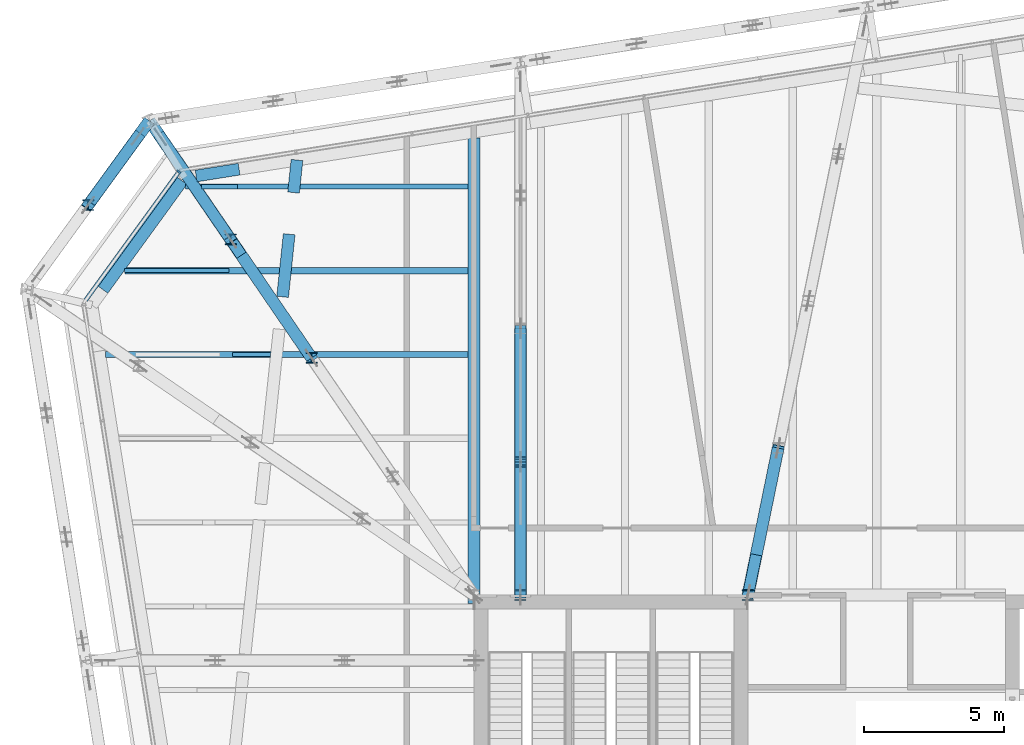
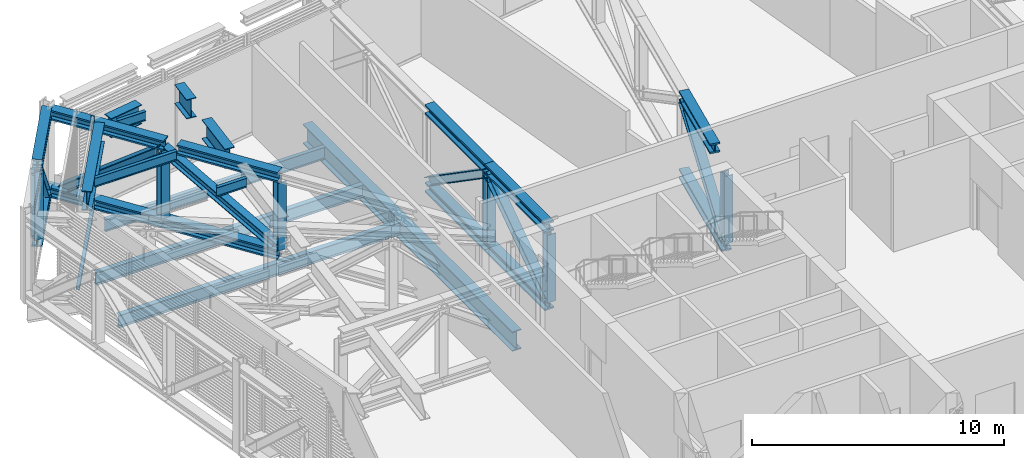
# One storey, part 13 of 32: 23 beams, 14 members, 1 element without a shape of its own.
"""IFC4 building model written with IfcOpenShell, lengths in metres."""

from ifc_helpers import new_model, si_unit, direction, frame, origin, origin_2d, place, context, subcontext, project, spatial, rectangle, i_section, extrude, material, layer, layer_set, material_profile, profile_set, type_object, element, aggregate, save


model = new_model("IFC4")

# Units and contexts
model_context = context("Model", 3, precision=1e-05, world=origin(), true_north=direction((0.0, 1.0)))
body_context = subcontext(model_context, "Body", "Model", "MODEL_VIEW")
ifc_project = project(units=[si_unit("LENGTHUNIT", "METRE"), si_unit("AREAUNIT", "SQUARE_METRE"), si_unit("VOLUMEUNIT", "CUBIC_METRE"), si_unit("PLANEANGLEUNIT", "RADIAN"), si_unit("MASSUNIT", "GRAM", prefix="KILO")], contexts=[model_context])

# Site, building, storey
site_placement = place(None, origin())
site = spatial("IfcSite", under=ifc_project, at=site_placement, CompositionType="ELEMENT")
building_placement = place(site_placement, origin())
building = spatial("IfcBuilding", under=site, at=building_placement, Name="Millrace Tower", CompositionType="ELEMENT")
storey_placement = place(building_placement, frame((0.0, 0.0, 266.89990234375)))
storey = spatial("IfcBuildingStorey", under=building, at=storey_placement, Name="L61", CompositionType="ELEMENT", Elevation=266.89990234375)

# Beams
ifc_material_1 = material(Name="Steel ASTM A992 Grade 50", Category="steel")
ifc_material_profile_1 = material_profile(ifc_material_1, i_section(OverallWidth=0.424072265625, OverallDepth=0.47509765625, WebThickness=0.0478515625, FlangeThickness=0.0771484375, FilletRadius=0.014892578125, at=origin_2d()))
ifc_profile_set_1 = profile_set([ifc_material_profile_1], Name="Steel ASTM A992 Grade 50")
beam_type_1 = type_object("IfcBeamType", Name="Belt truss chord W14x426", PredefinedType="BEAM", material=ifc_profile_set_1)
for number, where, z_axis, x_axis, name in (
    (1, (-25.996337890625, 26.35595703125, 0.237548828125), (-0.587817260373, -0.808993738176, 0.0), (0.808993738176, -0.587817260373, 0.0), "BLT-L61-R13-B01"),
    (2, (-25.996337890625, 26.35595703125, 4.002685546875), (-0.587817260373, -0.808993738176, 0.0), (0.808993738176, -0.587817260373, 0.0), "BLT-L61-R13-T01"),
):
    element("IfcBeam", number, at=place(storey_placement, frame(where, z_axis=z_axis, x_axis=x_axis)), inside=storey, type_object=beam_type_1, Name=name, PredefinedType="BEAM", context=body_context, shape_type="SweptSolid", body=[
        extrude(i_section(OverallWidth=0.424072265625, OverallDepth=0.47509765625, WebThickness=0.0478515625, FlangeThickness=0.0771484375, FilletRadius=0.014892578125, at=origin_2d()), origin(), (0.0, 0.0, 1.0), 3.7275390625),
    ])

# Members
ifc_material_2 = material(Name="Steel ASTM A992 Grade 50", Category="steel")
ifc_material_profile_2 = material_profile(ifc_material_2, i_section(OverallWidth=0.398681640625, OverallDepth=0.385986328125, WebThickness=0.02099609375, FlangeThickness=0.033203125, FilletRadius=0.01513671875, at=origin_2d()))
ifc_profile_set_2 = profile_set([ifc_material_profile_2], Name="Steel ASTM A992 Grade 50")
member_type_1 = type_object("IfcMemberType", Name="Belt truss diagonal W14x176", PredefinedType="BRACE", material=ifc_profile_set_2)
member_1_placement = place(storey_placement, frame((-26.407958984375, 25.789794921875, 0.47509765625), z_axis=(-0.398007112135, -0.547839944581, 0.735840834564), x_axis=(0.809032377573, -0.587764078554, 0.0)))
element("IfcMember", 3, at=member_1_placement, inside=storey, type_object=member_type_1, Name="BLT-L61-R13-D01", PredefinedType="BRACE", context=body_context, shape_type="SweptSolid", body=[
    extrude(i_section(OverallWidth=0.398681640625, OverallDepth=0.385986328125, WebThickness=0.02099609375, FlangeThickness=0.033203125, FilletRadius=0.01513671875, at=origin_2d()), origin(), (0.0, 0.0, 1.0), 4.47119140625),
])
ifc_material_3 = material(Name="Steel ASTM A992 Grade 50", Category="steel")
ifc_material_profile_3 = material_profile(ifc_material_3, i_section(OverallWidth=0.393798828125, OverallDepth=0.3759765625, WebThickness=0.017333984375, FlangeThickness=0.027587890625, FilletRadius=0.01513671875, at=origin_2d()))
ifc_profile_set_3 = profile_set([ifc_material_profile_3], Name="Steel ASTM A992 Grade 50")
member_type_2 = type_object("IfcMemberType", Name="Belt truss post W14x145", PredefinedType="POST", material=ifc_profile_set_3)
member_2_placement = place(storey_placement, frame((-28.1875, 23.34033203125, 0.47509765625), z_axis=(0.0, 0.0, 1.0), x_axis=(1.0, 0.0, 0.0)))
element("IfcMember", 4, at=member_2_placement, inside=storey, type_object=member_type_2, Name="BLT-L61-R13-V01", PredefinedType="POST", context=body_context, shape_type="SweptSolid", body=[
    extrude(i_section(OverallWidth=0.393798828125, OverallDepth=0.3759765625, WebThickness=0.017333984375, FlangeThickness=0.027587890625, FilletRadius=0.01513671875, at=origin_2d()), origin(), (0.0, 0.0, 1.0), 3.2900390625),
])

# Curtain wall, members
ifc_material_4 = material(Name="Aluminium and glass", Category="aluminium")
ifc_layer = layer(ifc_material_4, 0.14990234375)
ifc_layer_set = layer_set([ifc_layer], Name="Aluminium and glass")
curtain_wall_type = type_object("IfcCurtainWallType", Name="CW-5 truss and plant storey louvred infill", PredefinedType="NOTDEFINED", material=ifc_layer_set)
curtain_wall_placement = place(storey_placement, origin())
curtain_wall = element("IfcCurtainWall", 5, at=curtain_wall_placement, inside=storey, type_object=curtain_wall_type, Name="Curtain wall D-F07 L61", PredefinedType="NOTDEFINED")
ifc_material_5 = material(Name="Aluminium", Category="aluminium")
ifc_material_profile_4 = material_profile(ifc_material_5, rectangle(XDim=0.06494140625, YDim=0.14990234375, at=origin_2d()))
ifc_profile_set_4 = profile_set([ifc_material_profile_4], Name="Aluminium")
member_type_3 = type_object("IfcMemberType", Name="CW-5 truss and plant storey louvred infill mullion", PredefinedType="MULLION", material=ifc_profile_set_4)
member_3_placement = place(storey_placement, frame((-24.945068359375, 24.528076171875, 0.14013671875), z_axis=(0.0, 0.0, 1.0), x_axis=(-0.587785305991, -0.809016955361, 0.0)))
member_3 = element("IfcMember", 6, at=member_3_placement, type_object=member_type_3, Name="CW5 mullion D-F07.1", PredefinedType="MULLION", context=body_context, shape_type="SweptSolid", body=[
    extrude(rectangle(XDim=0.06494140625, YDim=0.14990234375, at=origin_2d()), origin(), (0.0, 0.0, 1.0), 4.35986328125),
])
ifc_material_6 = material(Name="Aluminium", Category="aluminium")
ifc_material_profile_5 = material_profile(ifc_material_6, rectangle(XDim=0.14990234375, YDim=0.139892578125, at=origin_2d()))
ifc_profile_set_5 = profile_set([ifc_material_profile_5], Name="Aluminium")
member_type_4 = type_object("IfcMemberType", Name="CW-5 truss and plant storey louvred infill transom", PredefinedType="USERDEFINED", material=ifc_profile_set_5)
member_4_placement = place(storey_placement, frame((-24.98486328125, 24.473388671875, 0.070068359375), z_axis=(-0.587782670904, -0.809018869857, 0.0), x_axis=(0.809018869857, -0.587782670904, 0.0)))
member_4 = element("IfcMember", 7, at=member_4_placement, type_object=member_type_4, Name="CW5 transom D-F07.1", ObjectType="TRANSOM", PredefinedType="USERDEFINED", context=body_context, shape_type="SweptSolid", body=[
    extrude(rectangle(XDim=0.14990234375, YDim=0.139892578125, at=origin_2d()), origin(), (0.0, 0.0, 1.0), 5.59814453125),
])
aggregate(curtain_wall, [member_3, member_4])

# Beams
ifc_material_7 = material(Name="Steel ASTM A992 Grade 50", Category="steel")
ifc_material_profile_6 = material_profile(ifc_material_7, i_section(OverallWidth=0.15234375, OverallDepth=0.449462890625, WebThickness=0.007568359375, FlangeThickness=0.0107421875, FilletRadius=0.01025390625, at=origin_2d()))
ifc_profile_set_6 = profile_set([ifc_material_profile_6], Name="Steel ASTM A992 Grade 50")
beam_type_2 = type_object("IfcBeamType", Name="Floor beam W18x35", PredefinedType="JOIST", material=ifc_profile_set_6)
beam_1_placement = place(storey_placement, frame((-23.02978515625, 18.0, 4.115234375), z_axis=(1.0, 0.0, 0.0), x_axis=(0.0, 1.0, 0.0)))
element("IfcBeam", 8, at=beam_1_placement, inside=storey, type_object=beam_type_2, Name="BM-D-L61-R1-S007-b", PredefinedType="JOIST", context=body_context, shape_type="SweptSolid", body=[
    extrude(i_section(OverallWidth=0.15234375, OverallDepth=0.449462890625, WebThickness=0.007568359375, FlangeThickness=0.0107421875, FilletRadius=0.01025390625, at=origin_2d()), origin(), (0.0, 0.0, 1.0), 1.365234375),
])
beam_2_placement = place(storey_placement, frame((-26.89453125, 21.0, 4.115234375), z_axis=(1.0, 0.0, 0.0), x_axis=(0.0, 1.0, 0.0)))
element("IfcBeam", 9, at=beam_2_placement, inside=storey, type_object=beam_type_2, Name="BM-D-L61-R1-S008", PredefinedType="JOIST", context=body_context, shape_type="SweptSolid", body=[
    extrude(i_section(OverallWidth=0.15234375, OverallDepth=0.449462890625, WebThickness=0.007568359375, FlangeThickness=0.0107421875, FilletRadius=0.01025390625, at=origin_2d()), origin(), (0.0, 0.0, 1.0), 3.744873046875),
])
beam_3_placement = place(storey_placement, frame((-24.128173828125, 24.0, 4.115234375), z_axis=(1.0, 0.0, 0.0), x_axis=(0.0, 1.0, 0.0)))
element("IfcBeam", 10, at=beam_3_placement, inside=storey, type_object=beam_type_2, Name="BM-D-L61-R1-S009", PredefinedType="JOIST", context=body_context, shape_type="SweptSolid", body=[
    extrude(i_section(OverallWidth=0.15234375, OverallDepth=0.449462890625, WebThickness=0.007568359375, FlangeThickness=0.0107421875, FilletRadius=0.01025390625, at=origin_2d()), origin(), (0.0, 0.0, 1.0), 1.28515625),
])
ifc_material_8 = material(Name="Steel ASTM A992 Grade 50", Category="steel")
ifc_material_profile_7 = material_profile(ifc_material_8, i_section(OverallWidth=0.1787109375, OverallDepth=0.60205078125, WebThickness=0.010986328125, FlangeThickness=0.014892578125, FilletRadius=0.0126953125, at=origin_2d()))
ifc_profile_set_7 = profile_set([ifc_material_profile_7], Name="Steel ASTM A992 Grade 50")
beam_type_3 = type_object("IfcBeamType", Name="Floor beam W24x62", PredefinedType="JOIST", material=ifc_profile_set_7)
beam_4_placement = place(storey_placement, frame((-24.702880859375, 24.0, -0.55078125), z_axis=(1.0, 0.0, 0.0), x_axis=(0.0, 1.0, 0.0)))
element("IfcBeam", 11, at=beam_4_placement, inside=storey, type_object=beam_type_3, Name="BM-D-L61-S1-S033", PredefinedType="JOIST", context=body_context, shape_type="SweptSolid", body=[
    extrude(i_section(OverallWidth=0.1787109375, OverallDepth=0.60205078125, WebThickness=0.010986328125, FlangeThickness=0.014892578125, FilletRadius=0.0126953125, at=origin_2d()), origin(), (0.0, 0.0, 1.0), 10.0908203125),
])
ifc_material_9 = material(Name="Steel ASTM A992 Grade 50", Category="steel")
ifc_material_profile_8 = material_profile(ifc_material_9, i_section(OverallWidth=0.228271484375, OverallDepth=0.607177734375, WebThickness=0.01123046875, FlangeThickness=0.017333984375, FilletRadius=0.0126953125, at=origin_2d()))
ifc_profile_set_8 = profile_set([ifc_material_profile_8], Name="Steel ASTM A992 Grade 50")
beam_type_4 = type_object("IfcBeamType", Name="Floor beam W24x76", PredefinedType="JOIST", material=ifc_profile_set_8)
beam_5_placement = place(storey_placement, frame((-27.558349609375, 18.0, -0.553466796875), z_axis=(1.0, 0.0, 0.0), x_axis=(0.0, 1.0, 0.0)))
element("IfcBeam", 12, at=beam_5_placement, inside=storey, type_object=beam_type_4, Name="BM-D-L61-S1-S029", PredefinedType="JOIST", context=body_context, shape_type="SweptSolid", body=[
    extrude(i_section(OverallWidth=0.228271484375, OverallDepth=0.607177734375, WebThickness=0.01123046875, FlangeThickness=0.017333984375, FilletRadius=0.0126953125, at=origin_2d()), origin(), (0.0, 0.0, 1.0), 12.9462890625),
])
beam_6_placement = place(storey_placement, frame((-26.866455078125, 21.0, -0.553466796875), z_axis=(1.0, 0.0, 0.0), x_axis=(0.0, 1.0, 0.0)))
element("IfcBeam", 13, at=beam_6_placement, inside=storey, type_object=beam_type_4, Name="BM-D-L61-S1-S031", PredefinedType="JOIST", context=body_context, shape_type="SweptSolid", body=[
    extrude(i_section(OverallWidth=0.228271484375, OverallDepth=0.607177734375, WebThickness=0.01123046875, FlangeThickness=0.017333984375, FilletRadius=0.0126953125, at=origin_2d()), origin(), (0.0, 0.0, 1.0), 12.25439453125),
])
ifc_material_10 = material(Name="Steel ASTM A992 Grade 50", Category="steel")
ifc_material_profile_9 = material_profile(ifc_material_10, i_section(OverallWidth=0.424072265625, OverallDepth=0.947509765625, WebThickness=0.02392578125, FlangeThickness=0.042724609375, FilletRadius=0.024169921875, at=origin_2d()))
ifc_profile_set_9 = profile_set([ifc_material_profile_9], Name="Steel ASTM A992 Grade 50")
beam_type_5 = type_object("IfcBeamType", Name="Girder medium span W36x302", PredefinedType="BEAM", material=ifc_profile_set_9)
beam_7_placement = place(storey_placement, frame((-14.39990234375, 9.092041015625, -0.7236328125), z_axis=(0.0, 1.0, 0.0), x_axis=(-1.0, 0.0, 0.0)))
element("IfcBeam", 14, at=beam_7_placement, inside=storey, type_object=beam_type_5, Name="BM-D-L61-S1-G054", PredefinedType="BEAM", context=body_context, shape_type="SweptSolid", body=[
    extrude(i_section(OverallWidth=0.424072265625, OverallDepth=0.947509765625, WebThickness=0.02392578125, FlangeThickness=0.042724609375, FilletRadius=0.024169921875, at=origin_2d()), origin(), (0.0, 0.0, 1.0), 16.640869140625),
])
ifc_material_11 = material(Name="Steel ASTM A992 Grade 50", Category="steel")
ifc_material_profile_10 = material_profile(ifc_material_11, i_section(OverallWidth=0.424072265625, OverallDepth=0.47509765625, WebThickness=0.0478515625, FlangeThickness=0.0771484375, FilletRadius=0.014892578125, at=origin_2d()))
ifc_profile_set_10 = profile_set([ifc_material_profile_10], Name="Steel ASTM A992 Grade 50")
beam_type_6 = type_object("IfcBeamType", Name="Outrigger truss chord W14x426", PredefinedType="BEAM", material=ifc_profile_set_10)
beam_8_placement = place(storey_placement, frame((-4.60009765625, 9.39990234375, 0.237548828125), z_axis=(0.200855709587, 0.979620836817, 0.0), x_axis=(-0.979620836817, 0.200855709587, 0.0)))
element("IfcBeam", 15, at=beam_8_placement, inside=storey, type_object=beam_type_6, Name="BLT-L61-O11-B01", PredefinedType="BEAM", context=body_context, shape_type="SweptSolid", body=[
    extrude(i_section(OverallWidth=0.424072265625, OverallDepth=0.47509765625, WebThickness=0.0478515625, FlangeThickness=0.0771484375, FilletRadius=0.014892578125, at=origin_2d()), origin(), (0.0, 0.0, 1.0), 5.366455078125),
])
for number, where, z_axis, x_axis, name in (
    (16, (-12.7333984375, 9.39990234375, 0.237548828125), (0.0, 1.0, 0.0), (-1.0, 0.0, 0.0), "BLT-L61-O12-B01"),
    (17, (-12.7333984375, 9.39990234375, 4.002685546875), (0.0, 1.0, 0.0), (-1.0, 0.0, 0.0), "BLT-L61-O12-T01"),
    (18, (-12.7333984375, 14.1640625, 0.237548828125), (0.0, 1.0, 0.0), (-1.0, 0.0, 0.0), "BLT-L61-O12-B02"),
    (19, (-12.7333984375, 14.1640625, 4.002685546875), (0.0, 1.0, 0.0), (-1.0, 0.0, 0.0), "BLT-L61-O12-T02"),
):
    element("IfcBeam", number, at=place(storey_placement, frame(where, z_axis=z_axis, x_axis=x_axis)), inside=storey, type_object=beam_type_6, Name=name, PredefinedType="BEAM", context=body_context, shape_type="SweptSolid", body=[
        extrude(i_section(OverallWidth=0.424072265625, OverallDepth=0.47509765625, WebThickness=0.0478515625, FlangeThickness=0.0771484375, FilletRadius=0.014892578125, at=origin_2d()), origin(), (0.0, 0.0, 1.0), 4.76416015625),
    ])
for number, where, z_axis, x_axis, name in (
    (20, (-20.1982421875, 17.8779296875, 0.237548828125), (-0.564523708038, 0.825416854119, 0.0), (-0.825416854119, -0.564523708038, 0.0), "BLT-L61-O13-B03"),
    (21, (-23.097412109375, 22.116943359375, 0.237548828125), (-0.564491317906, 0.825439005626, 0.0), (-0.825439005626, -0.564491317906, 0.0), "BLT-L61-O13-B04"),
):
    element("IfcBeam", number, at=place(storey_placement, frame(where, z_axis=z_axis, x_axis=x_axis)), inside=storey, type_object=beam_type_6, Name=name, PredefinedType="BEAM", context=body_context, shape_type="SweptSolid", body=[
        extrude(i_section(OverallWidth=0.424072265625, OverallDepth=0.47509765625, WebThickness=0.0478515625, FlangeThickness=0.0771484375, FilletRadius=0.014892578125, at=origin_2d()), origin(), (0.0, 0.0, 1.0), 5.135498046875),
    ])
beam_9_placement = place(storey_placement, frame((-4.304931640625, 10.839599609375, 4.002685546875), z_axis=(0.200860897455, 0.979619773113, 0.0), x_axis=(-0.979619773113, 0.200860897455, 0.0)))
element("IfcBeam", 22, at=beam_9_placement, inside=storey, type_object=beam_type_6, Name="BLT-L61-O11-T01", PredefinedType="BEAM", context=body_context, shape_type="SweptSolid", body=[
    extrude(i_section(OverallWidth=0.424072265625, OverallDepth=0.47509765625, WebThickness=0.0478515625, FlangeThickness=0.0771484375, FilletRadius=0.014892578125, at=origin_2d()), origin(), (0.0, 0.0, 1.0), 3.896728515625),
])
beam_10_placement = place(storey_placement, frame((-23.040771484375, 22.034423828125, 4.002685546875), z_axis=(-0.564510431779, 0.825425933935, 0.0), x_axis=(-0.825425933935, -0.564510431779, 0.0)))
element("IfcBeam", 23, at=beam_10_placement, inside=storey, type_object=beam_type_6, Name="BLT-L61-O13-T04", PredefinedType="BEAM", context=body_context, shape_type="SweptSolid", body=[
    extrude(i_section(OverallWidth=0.424072265625, OverallDepth=0.47509765625, WebThickness=0.0478515625, FlangeThickness=0.0771484375, FilletRadius=0.014892578125, at=origin_2d()), origin(), (0.0, 0.0, 1.0), 5.04541015625),
])
beam_11_placement = place(storey_placement, frame((-20.1982421875, 17.8779296875, 4.002685546875), z_axis=(-0.564518571982, 0.825420366775, 0.0), x_axis=(-0.825420366775, -0.564518571982, 0.0)))
element("IfcBeam", 24, at=beam_11_placement, inside=storey, type_object=beam_type_6, Name="BLT-L61-O13-T03", PredefinedType="BEAM", context=body_context, shape_type="SweptSolid", body=[
    extrude(i_section(OverallWidth=0.424072265625, OverallDepth=0.47509765625, WebThickness=0.0478515625, FlangeThickness=0.0771484375, FilletRadius=0.014892578125, at=origin_2d()), origin(), (0.0, 0.0, 1.0), 4.44677734375),
])

# Members
ifc_material_12 = material(Name="Steel ASTM A992 Grade 50", Category="steel")
ifc_material_profile_11 = material_profile(ifc_material_12, i_section(OverallWidth=0.398681640625, OverallDepth=0.385986328125, WebThickness=0.02099609375, FlangeThickness=0.033203125, FilletRadius=0.01513671875, at=origin_2d()))
ifc_profile_set_11 = profile_set([ifc_material_profile_11], Name="Steel ASTM A992 Grade 50")
member_type_5 = type_object("IfcMemberType", Name="Outrigger truss diagonal W14x176", PredefinedType="BRACE", material=ifc_profile_set_11)
member_5_placement = place(storey_placement, frame((-4.60009765625, 9.39990234375, 0.47509765625), z_axis=(0.171236629538, 0.835161572783, 0.522669268324), x_axis=(-0.979620836817, 0.200855709587, 0.0)))
element("IfcMember", 25, at=member_5_placement, inside=storey, type_object=member_type_5, Name="BLT-L61-O11-D01", PredefinedType="BRACE", context=body_context, shape_type="SweptSolid", body=[
    extrude(i_section(OverallWidth=0.398681640625, OverallDepth=0.385986328125, WebThickness=0.02099609375, FlangeThickness=0.033203125, FilletRadius=0.01513671875, at=origin_2d()), origin(), (0.0, 0.0, 1.0), 6.294677734375),
])
for number, where, z_axis, x_axis, name in (
    (26, (-12.7333984375, 9.39990234375, 0.47509765625), (0.0, 0.822856527801, 0.568249183594), (-1.0, 0.0, 0.0), "BLT-L61-O12-D01"),
    (27, (-12.7333984375, 18.92822265625, 0.47509765625), (0.0, -0.822856527801, 0.568249183594), (1.0, 0.0, 0.0), "BLT-L61-O12-D02"),
):
    element("IfcMember", number, at=place(storey_placement, frame(where, z_axis=z_axis, x_axis=x_axis)), inside=storey, type_object=member_type_5, Name=name, PredefinedType="BRACE", context=body_context, shape_type="SweptSolid", body=[
        extrude(i_section(OverallWidth=0.398681640625, OverallDepth=0.385986328125, WebThickness=0.02099609375, FlangeThickness=0.033203125, FilletRadius=0.01513671875, at=origin_2d()), origin(), (0.0, 0.0, 1.0), 5.789794921875),
    ])
member_6_placement = place(storey_placement, frame((-20.1982421875, 17.8779296875, 0.47509765625), z_axis=(-0.475345427836, 0.695025066402, 0.539431998781), x_axis=(-0.825416854119, -0.564523708038, 0.0)))
element("IfcMember", 28, at=member_6_placement, inside=storey, type_object=member_type_5, Name="BLT-L61-O13-D03", PredefinedType="BRACE", context=body_context, shape_type="SweptSolid", body=[
    extrude(i_section(OverallWidth=0.398681640625, OverallDepth=0.385986328125, WebThickness=0.02099609375, FlangeThickness=0.033203125, FilletRadius=0.01513671875, at=origin_2d()), origin(), (0.0, 0.0, 1.0), 6.09912109375),
])
member_7_placement = place(storey_placement, frame((-25.601318359375, 25.7783203125, 0.47509765625), z_axis=(0.453389127245, -0.662975501297, 0.595736337633), x_axis=(0.825438193243, 0.564492505828, 0.0)))
element("IfcMember", 29, at=member_7_placement, inside=storey, type_object=member_type_5, Name="BLT-L61-O13-D04", PredefinedType="BRACE", context=body_context, shape_type="SweptSolid", body=[
    extrude(i_section(OverallWidth=0.398681640625, OverallDepth=0.385986328125, WebThickness=0.02099609375, FlangeThickness=0.033203125, FilletRadius=0.01513671875, at=origin_2d()), origin(), (0.0, 0.0, 1.0), 5.522705078125),
])
ifc_material_13 = material(Name="Steel ASTM A992 Grade 50", Category="steel")
ifc_material_profile_12 = material_profile(ifc_material_13, i_section(OverallWidth=0.393798828125, OverallDepth=0.3759765625, WebThickness=0.017333984375, FlangeThickness=0.027587890625, FilletRadius=0.01513671875, at=origin_2d()))
ifc_profile_set_12 = profile_set([ifc_material_profile_12], Name="Steel ASTM A992 Grade 50")
member_type_6 = type_object("IfcMemberType", Name="Outrigger truss post W14x145", PredefinedType="POST", material=ifc_profile_set_12)
for number, where, z_axis, x_axis, name in (
    (30, (-4.60009765625, 9.39990234375, 0.47509765625), (0.0, 0.0, 1.0), (1.0, 0.0, 0.0), "BLT-L61-O11-V00"),
    (31, (-12.7333984375, 9.39990234375, 0.47509765625), (0.0, 0.0, 1.0), (1.0, 0.0, 0.0), "BLT-L61-O12-V00"),
    (32, (-12.7333984375, 14.1640625, 0.47509765625), (0.0, 0.0, 1.0), (1.0, 0.0, 0.0), "BLT-L61-O12-V01"),
    (33, (-20.1982421875, 17.8779296875, 0.47509765625), (0.0, 0.0, 1.0), (1.0, 0.0, 0.0), "BLT-L61-O13-V02"),
    (34, (-23.097412109375, 22.116943359375, 0.47509765625), (0.0, 0.0, 1.0), (1.0, 0.0, 0.0), "BLT-L61-O13-V03"),
):
    element("IfcMember", number, at=place(storey_placement, frame(where, z_axis=z_axis, x_axis=x_axis)), inside=storey, type_object=member_type_6, Name=name, PredefinedType="POST", context=body_context, shape_type="SweptSolid", body=[
        extrude(i_section(OverallWidth=0.393798828125, OverallDepth=0.3759765625, WebThickness=0.017333984375, FlangeThickness=0.027587890625, FilletRadius=0.01513671875, at=origin_2d()), origin(), (0.0, 0.0, 1.0), 3.2900390625),
    ])

# Beams
ifc_material_14 = material(Name="Steel ASTM A992 Grade 50", Category="steel")
ifc_material_profile_13 = material_profile(ifc_material_14, i_section(OverallWidth=0.421630859375, OverallDepth=0.937255859375, WebThickness=0.021240234375, FlangeThickness=0.03662109375, FilletRadius=0.024169921875, at=origin_2d()))
ifc_profile_set_13 = profile_set([ifc_material_profile_13], Name="Steel ASTM A992 Grade 50")
beam_type_7 = type_object("IfcBeamType", Name="Ring beam short span W36x262", PredefinedType="SPANDREL", material=ifc_profile_set_13)
beam_12_placement = place(storey_placement, frame((-27.6533203125, 20.314208984375, 3.87158203125), z_axis=(0.587770403723, 0.809027782284, 0.0), x_axis=(-0.809027782284, 0.587770403723, 0.0)))
element("IfcBeam", 35, at=beam_12_placement, inside=storey, type_object=beam_type_7, Name="RNG-D-L61-R1-01", PredefinedType="SPANDREL", context=body_context, shape_type="SweptSolid", body=[
    extrude(i_section(OverallWidth=0.421630859375, OverallDepth=0.937255859375, WebThickness=0.021240234375, FlangeThickness=0.03662109375, FilletRadius=0.024169921875, at=origin_2d()), origin(), (0.0, 0.0, 1.0), 4.81201171875),
])
beam_13_placement = place(storey_placement, frame((-20.721923828125, 24.953125, 3.87158203125), z_axis=(-0.104478527661, -0.994527142545, 0.0), x_axis=(0.994527142545, -0.104478527661, 0.0)))
element("IfcBeam", 36, at=beam_13_placement, inside=storey, type_object=beam_type_7, Name="RNG-D-L61-R1-03-a-a", PredefinedType="SPANDREL", context=body_context, shape_type="SweptSolid", body=[
    extrude(i_section(OverallWidth=0.421630859375, OverallDepth=0.937255859375, WebThickness=0.021240234375, FlangeThickness=0.03662109375, FilletRadius=0.024169921875, at=origin_2d()), origin(), (0.0, 0.0, 1.0), 1.170654296875),
])
beam_14_placement = place(storey_placement, frame((-21.000732421875, 22.300537109375, 3.87158203125), z_axis=(-0.104442020817, -0.994530977038, 0.0), x_axis=(0.994530977038, -0.104442020817, 0.0)))
element("IfcBeam", 37, at=beam_14_placement, inside=storey, type_object=beam_type_7, Name="RNG-D-L61-R1-03-a-b", PredefinedType="SPANDREL", context=body_context, shape_type="SweptSolid", body=[
    extrude(i_section(OverallWidth=0.421630859375, OverallDepth=0.937255859375, WebThickness=0.021240234375, FlangeThickness=0.03662109375, FilletRadius=0.024169921875, at=origin_2d()), origin(), (0.0, 0.0, 1.0), 2.2509765625),
])
beam_15_placement = place(storey_placement, frame((-24.328125, 24.3818359375, 3.87158203125), z_axis=(0.987677542865, 0.156502624005, 0.0), x_axis=(-0.156502624005, 0.987677542865, 0.0)))
element("IfcBeam", 38, at=beam_15_placement, inside=storey, type_object=beam_type_7, Name="RNG-D-L61-R1-02", PredefinedType="SPANDREL", context=body_context, shape_type="SweptSolid", body=[
    extrude(i_section(OverallWidth=0.421630859375, OverallDepth=0.937255859375, WebThickness=0.021240234375, FlangeThickness=0.03662109375, FilletRadius=0.024169921875, at=origin_2d()), origin(), (0.0, 0.0, 1.0), 1.555419921875),
])

save(model, "model.ifc")
